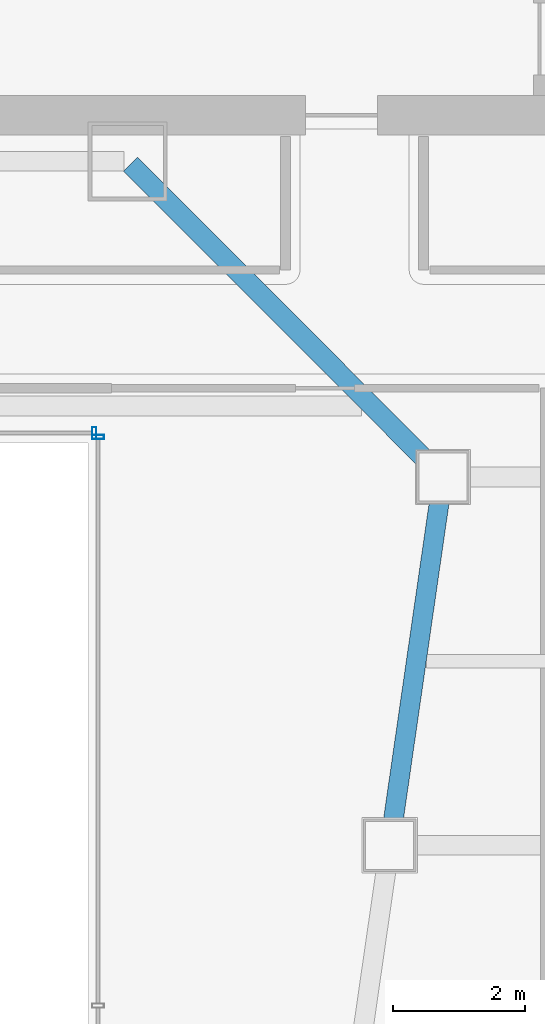
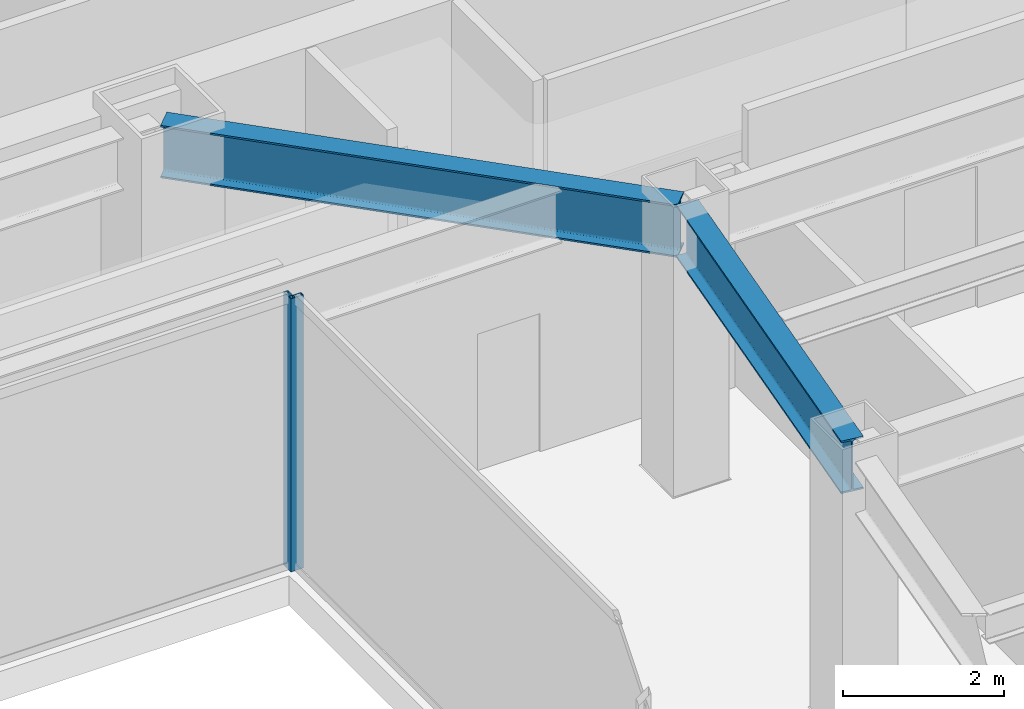
# One storey, part 29 of 49: 2 beams, 2 members, 2 elements without a shape of their own.
"""IFC4 building model written with IfcOpenShell, lengths in metres."""

from ifc_helpers import new_model, si_unit, direction, frame, origin, origin_2d, place, context, subcontext, project, spatial, hollow_rectangle, i_section, extrude, material, material_profile, profile_set, type_object, element, aggregate, save


model = new_model("IFC4")

# Units and contexts
model_context = context("Model", 3, precision=1e-05, world=origin(), true_north=direction((0.0, 1.0)))
body_context = subcontext(model_context, "Body", "Model", "MODEL_VIEW")
ifc_project = project(units=[si_unit("LENGTHUNIT", "METRE"), si_unit("AREAUNIT", "SQUARE_METRE"), si_unit("VOLUMEUNIT", "CUBIC_METRE"), si_unit("PLANEANGLEUNIT", "RADIAN"), si_unit("MASSUNIT", "GRAM", prefix="KILO")], contexts=[model_context])

# Site, building, storey
site_placement = place(None, origin())
site = spatial("IfcSite", under=ifc_project, at=site_placement, CompositionType="ELEMENT")
building_placement = place(site_placement, origin())
building = spatial("IfcBuilding", under=site, at=building_placement, Name="Saevonmaru Cultural Tower", CompositionType="ELEMENT")
storey_placement = place(building_placement, frame((0.0, 0.0, 38.39990234375)))
storey = spatial("IfcBuildingStorey", under=building, at=storey_placement, Name="L07", CompositionType="ELEMENT", Elevation=38.39990234375)

# Beams
ifc_material_1 = material(Name="Steel SM420", Category="steel")
ifc_material_profile_1 = material_profile(ifc_material_1, i_section(OverallWidth=0.300048828125, OverallDepth=0.800048828125, WebThickness=0.013916015625, FlangeThickness=0.02587890625, FilletRadius=0.028076171875, at=origin_2d()), Name="H-800x300x14x26")
ifc_profile_set_1 = profile_set([ifc_material_profile_1], Name="Steel SM420")
beam_type = type_object("IfcBeamType", Name="BM-G-H800", PredefinedType="BEAM", material=ifc_profile_set_1)
beam_1_placement = place(storey_placement, frame((40.3916015625, 32.059326171875, 3.75), z_axis=(0.142964121327, 0.989727871697, 0.0), x_axis=(-0.989727871697, 0.142964121327, 0.0)))
element("IfcBeam", 1, at=beam_1_placement, inside=storey, type_object=beam_type, Name="L07 East Atrium Girder 5", PredefinedType="BEAM", context=body_context, shape_type="SweptSolid", body=[
    extrude(i_section(OverallWidth=0.300048828125, OverallDepth=0.800048828125, WebThickness=0.013916015625, FlangeThickness=0.02587890625, FilletRadius=0.028076171875, at=origin_2d()), origin(), (0.0, 0.0, 1.0), 5.5380859375),
])
beam_2_placement = place(storey_placement, frame((41.149658203125, 37.642578125, 3.75), z_axis=(-0.706538566564, 0.707674539572, 0.0), x_axis=(-0.707674539572, -0.706538566564, 0.0)))
element("IfcBeam", 2, at=beam_2_placement, inside=storey, type_object=beam_type, Name="L07 East Atrium Girder 6", PredefinedType="BEAM", context=body_context, shape_type="SweptSolid", body=[
    extrude(i_section(OverallWidth=0.300048828125, OverallDepth=0.800048828125, WebThickness=0.013916015625, FlangeThickness=0.02587890625, FilletRadius=0.028076171875, at=origin_2d()), origin(), (0.0, 0.0, 1.0), 6.662353515625),
])

# Curtain wall, member
ifc_material_2 = material(Name="Satin Bronze Anodised Aluminium", Category="aluminium")
curtain_wall_type = type_object("IfcCurtainWallType", Name="CW-ATR-GLZ", PredefinedType="NOTDEFINED", material=ifc_material_2)
curtain_wall_1_placement = place(storey_placement, origin())
curtain_wall_1 = element("IfcCurtainWall", 3, at=curtain_wall_1_placement, inside=storey, type_object=curtain_wall_type, Name="L07 Vertical Atrium Glazed Smoke Screen 2", PredefinedType="NOTDEFINED")
ifc_material_profile_2 = material_profile(ifc_material_2, hollow_rectangle(XDim=0.06494140625, YDim=0.179931640625, WallThickness=0.00390625, at=origin_2d()), Name="ALU-MULL-180x65x4")
ifc_profile_set_2 = profile_set([ifc_material_profile_2], Name="Satin Bronze Anodised Aluminium")
member_type = type_object("IfcMemberType", Name="ML-CW-INT-180x65", PredefinedType="MULLION", material=ifc_profile_set_2)
member_1_placement = place(storey_placement, frame((35.949951171875, 38.2099609375, 0.0), z_axis=(0.0, 0.0, 1.0), x_axis=(0.0, 1.0, 0.0)))
member_1 = element("IfcMember", 4, at=member_1_placement, type_object=member_type, Name="CW-ATR-L07-2 mullion 3", PredefinedType="MULLION", context=body_context, shape_type="SweptSolid", body=[
    extrude(hollow_rectangle(XDim=0.06494140625, YDim=0.179931640625, WallThickness=0.00390625, at=origin_2d()), origin(), (0.0, 0.0, 1.0), 4.150146484375),
])
aggregate(curtain_wall_1, [member_1])

curtain_wall_2_placement = place(storey_placement, origin())
curtain_wall_2 = element("IfcCurtainWall", 5, at=curtain_wall_2_placement, inside=storey, type_object=curtain_wall_type, Name="L07 Vertical Atrium Glazed Smoke Screen 3", PredefinedType="NOTDEFINED")
member_2_placement = place(storey_placement, frame((35.889892578125, 38.27001953125, 0.0), z_axis=(0.0, 0.0, 1.0), x_axis=(-1.0, 0.0, 0.0)))
member_2 = element("IfcMember", 6, at=member_2_placement, type_object=member_type, Name="CW-ATR-L07-3 mullion 1", PredefinedType="MULLION", context=body_context, shape_type="SweptSolid", body=[
    extrude(hollow_rectangle(XDim=0.06494140625, YDim=0.179931640625, WallThickness=0.00390625, at=origin_2d()), origin(), (0.0, 0.0, 1.0), 4.150146484375),
])
aggregate(curtain_wall_2, [member_2])

save(model, "model.ifc")
